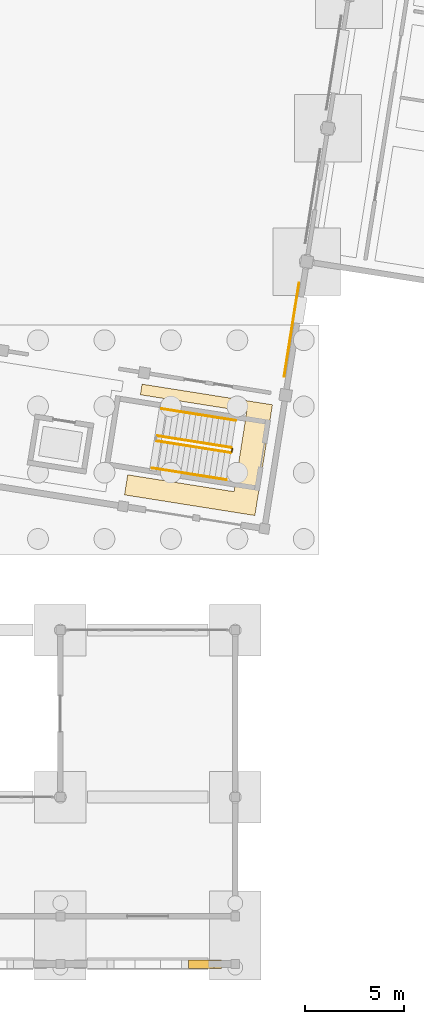
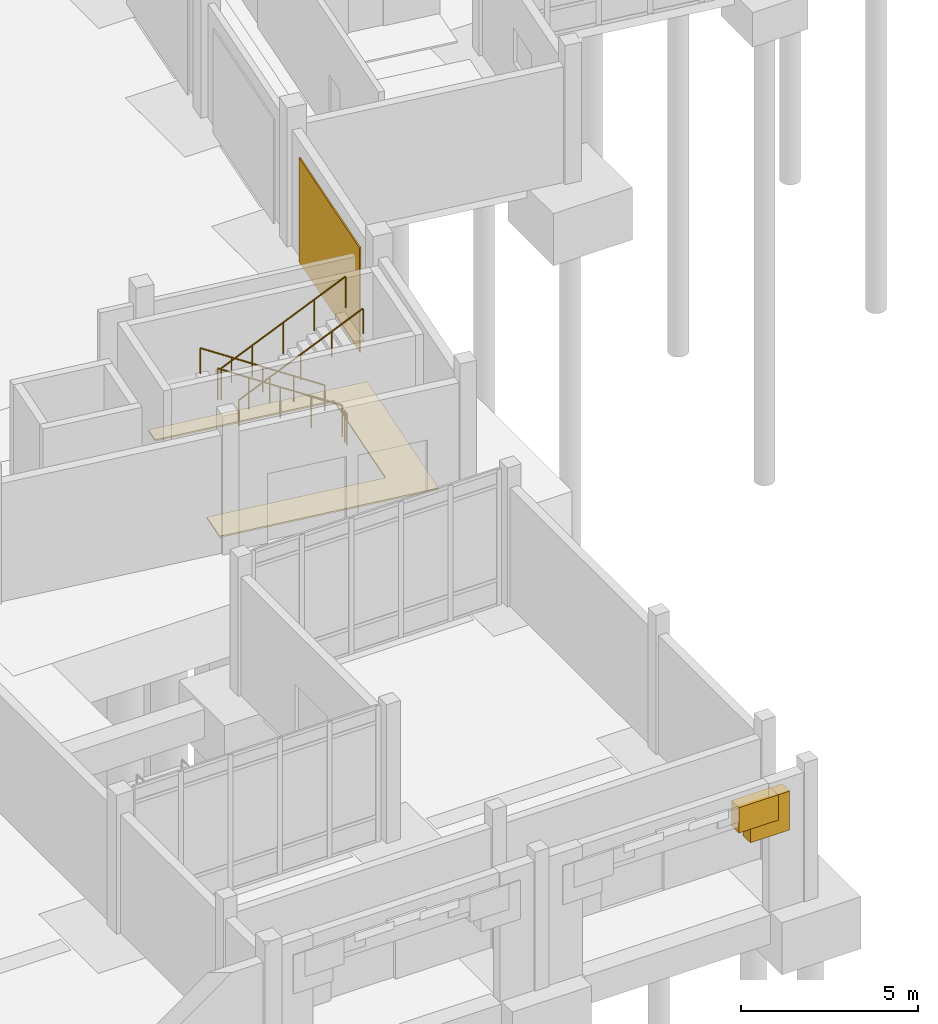
# One storey, part 69 of 72: 5 railings, 4 coverings.
"""IFC4 building model written with IfcOpenShell, lengths in metres."""

from ifc_helpers import new_model, si_unit, direction, frame, origin, origin_2d, place, context, subcontext, project, spatial, polyline, rectangle, circle, outline, extrude, material, layer, layer_set, type_object, element, save


model = new_model("IFC4")

# Units and contexts
model_context = context("Model", 3, precision=1e-05, world=origin(), true_north=direction((0.0, 1.0)))
body_context = subcontext(model_context, "Body", "Model", "MODEL_VIEW")
ifc_project = project(units=[si_unit("LENGTHUNIT", "METRE"), si_unit("AREAUNIT", "SQUARE_METRE"), si_unit("VOLUMEUNIT", "CUBIC_METRE"), si_unit("PLANEANGLEUNIT", "RADIAN"), si_unit("MASSUNIT", "GRAM", prefix="KILO")], contexts=[model_context])

# Site, building, storey
site_placement = place(None, origin())
site = spatial("IfcSite", under=ifc_project, at=site_placement, CompositionType="ELEMENT")
building_placement = place(site_placement, origin())
building = spatial("IfcBuilding", under=site, at=building_placement, Name="Cinderway Yard Community Centre", CompositionType="ELEMENT")
storey_placement = place(building_placement, origin())
storey = spatial("IfcBuildingStorey", under=building, at=storey_placement, Name="L00", CompositionType="ELEMENT", Elevation=0.0)

# Coverings
ifc_material_1 = material(Name="Brick Masonry", Category="masonry")
ifc_layer_1 = layer(ifc_material_1, 0.18994140625, Name="Brick Masonry")
ifc_layer_set_1 = layer_set([ifc_layer_1], Name="Brick Masonry")
covering_type_1 = type_object("IfcCoveringType", Name="ENV-COV-BRK-SCREEN", PredefinedType="CLADDING", material=ifc_layer_set_1)
covering_1_placement = place(storey_placement, frame((135.093017578125, 6.0, 3.115478515625), z_axis=(0.0, 0.0, 1.0), x_axis=(1.0, 0.0, 0.0)))
element("IfcCovering", 1, at=covering_1_placement, inside=storey, type_object=covering_type_1, Name="East Storm Arcade East Niche Arch Voussoir 3.8", PredefinedType="CLADDING", context=body_context, shape_type="SweptSolid", body=[
    extrude(rectangle(XDim=1.281005859375, YDim=0.419921875, at=origin_2d()), origin(), (0.0, 0.0, 1.0), 0.875),
])
covering_2_placement = place(storey_placement, frame((135.462890625, 6.0, 2.64794921875), z_axis=(0.0, 0.0, 1.0), x_axis=(1.0, 0.0, 0.0)))
element("IfcCovering", 2, at=covering_2_placement, inside=storey, type_object=covering_type_1, Name="East Storm Arcade East Niche Arch Voussoir 3.9", PredefinedType="CLADDING", context=body_context, shape_type="SweptSolid", body=[
    extrude(rectangle(XDim=1.281005859375, YDim=0.419921875, at=origin_2d()), origin(), (0.0, 0.0, 1.0), 1.342041015625),
])
ifc_material_2 = material(Name="Acoustic Slotted Brick Liner", Category="masonry")
ifc_layer_2 = layer(ifc_material_2, 0.044921875, Name="Acoustic Slotted Brick Liner")
ifc_layer_set_2 = layer_set([ifc_layer_2], Name="Acoustic Slotted Brick Liner")
covering_type_2 = type_object("IfcCoveringType", Name="INT-COV-CLAD-BRK", PredefinedType="CLADDING", material=ifc_layer_set_2)
covering_3_placement = place(storey_placement, frame((139.633056640625, 37.9150390625, 0.0), z_axis=(0.0, 0.0, 1.0), x_axis=(0.987688340595, -0.15643446504, 0.0)))
element("IfcCovering", 3, at=covering_3_placement, inside=storey, type_object=covering_type_2, Name="Sports Hall Acoustic Liner 01", PredefinedType="CLADDING", context=body_context, shape_type="SweptSolid", body=[
    extrude(rectangle(XDim=0.044921875, YDim=4.800048828125, at=origin_2d()), origin(), (0.0, 0.0, 1.0), 3.60009765625),
])
ifc_material_3 = material(Name="Sprung Hardwood Court Floor", Category="wood")
ifc_layer_3 = layer(ifc_material_3, 0.054931640625, Name="Sprung Hardwood Court Floor")
ifc_layer_set_3 = layer_set([ifc_layer_3], Name="Sprung Hardwood Court Floor")
covering_type_3 = type_object("IfcCoveringType", Name="INT-COV-FLR-SPR", PredefinedType="FLOORING", material=ifc_layer_set_3)
covering_4_placement = place(storey_placement, origin())
element("IfcCovering", 4, at=covering_4_placement, inside=storey, type_object=covering_type_3, Name="Court Equipment Store Floor Finish", PredefinedType="FLOORING", context=body_context, shape_type="SweptSolid", body=[
    extrude(outline(polyline([(131.388916015625, 30.614990234375), (136.742919921875, 29.76708984375), (137.381103515625, 33.797119140625), (132.028076171875, 34.64404296875), (132.112060546875, 35.177001953125), (138.669921875, 34.138916015625), (137.7880859375, 28.569091796875), (131.22998046875, 29.60693359375), (131.388916015625, 30.614990234375)])), origin(), (0.0, 0.0, 1.0), 0.054931640625),
])

# Railings
ifc_material_4 = material(Name="Painted Galvanised Steel", Category="steel")
railing_type_1 = type_object("IfcRailingType", Name="INT-RAL-GRD112", PredefinedType="GUARDRAIL", material=ifc_material_4)
railing_1_placement = place(storey_placement, frame((136.6083984375, 31.985107421875, 0.17138671875)))
element("IfcRailing", 5, at=railing_1_placement, inside=storey, type_object=railing_type_1, Name="L00 ST-07 stair guard 1", PredefinedType="GUARDRAIL", context=body_context, shape_type="SweptSolid", body=[
    extrude(circle(Radius=0.02392578125, at=origin_2d()), frame((0.0, 0.0, 1.076171875), z_axis=(-0.85023454363, 0.134690620773, 0.50888078908), x_axis=(-0.156464720495, -0.987683548127, 0.0)), (0.0, 0.0, 1.0), 4.379150390625),
    extrude(circle(Radius=0.02099609375, at=origin_2d()), origin(), (0.0, 0.0, 1.0), 1.052001953125),
    extrude(circle(Radius=0.02099609375, at=origin_2d()), frame((-0.930908203125, 0.1474609375, 0.55712890625)), (0.0, 0.0, 1.0), 1.052001953125),
    extrude(circle(Radius=0.02099609375, at=origin_2d()), frame((-1.86181640625, 0.294921875, 1.1142578125)), (0.0, 0.0, 1.0), 1.052001953125),
    extrude(circle(Radius=0.02099609375, at=origin_2d()), frame((-2.79248046875, 0.4423828125, 1.67138671875)), (0.0, 0.0, 1.0), 1.052001953125),
    extrude(circle(Radius=0.02099609375, at=origin_2d()), frame((-3.723388671875, 0.58984375, 2.228515625)), (0.0, 0.0, 1.0), 1.052001953125),
])
railing_2_placement = place(storey_placement, frame((132.84423828125, 32.318115234375, 2.571533203125)))
element("IfcRailing", 6, at=railing_2_placement, inside=storey, type_object=railing_type_1, Name="L00 ST-07 stair guard 3", PredefinedType="GUARDRAIL", context=body_context, shape_type="SweptSolid", body=[
    extrude(circle(Radius=0.02392578125, at=origin_2d()), frame((0.0, 0.0, 1.076171875), z_axis=(0.850249990766, -0.13468423667, 0.508856669008), x_axis=(0.156454712979, 0.987685133424, 0.0)), (0.0, 0.0, 1.0), 4.37939453125),
    extrude(circle(Radius=0.02099609375, at=origin_2d()), origin(), (0.0, 0.0, 1.0), 1.052001953125),
    extrude(circle(Radius=0.02099609375, at=origin_2d()), frame((0.930908203125, -0.1474609375, 0.55712890625)), (0.0, 0.0, 1.0), 1.052001953125),
    extrude(circle(Radius=0.02099609375, at=origin_2d()), frame((1.86181640625, -0.294921875, 1.1142578125)), (0.0, 0.0, 1.0), 1.052001953125),
    extrude(circle(Radius=0.02099609375, at=origin_2d()), frame((2.792724609375, -0.4423828125, 1.67138671875)), (0.0, 0.0, 1.0), 1.052001953125),
    extrude(circle(Radius=0.02099609375, at=origin_2d()), frame((3.7236328125, -0.58984375, 2.228515625)), (0.0, 0.0, 1.0), 1.052001953125),
])
railing_3_placement = place(storey_placement, frame((136.650146484375, 31.927978515625, 0.0)))
element("IfcRailing", 7, at=railing_3_placement, inside=storey, type_object=railing_type_1, Name="L00 ST-07 stair guard 4", PredefinedType="GUARDRAIL", context=body_context, shape_type="SweptSolid", body=[
    extrude(circle(Radius=0.02392578125, at=origin_2d()), frame((0.0, 0.0, 1.076171875), z_axis=(-0.15697991501, -0.987601795403, 0.0), x_axis=(0.987601795403, -0.15697991501, 0.0)), (0.0, 0.0, 1.0), 0.16015625),
    extrude(circle(Radius=0.02099609375, at=origin_2d()), origin(), (0.0, 0.0, 1.0), 1.052001953125),
    extrude(circle(Radius=0.02099609375, at=origin_2d()), frame((-0.025146484375, -0.158203125, 0.0)), (0.0, 0.0, 1.0), 1.052001953125),
])
railing_type_2 = type_object("IfcRailingType", Name="INT-RAL-HND090", PredefinedType="HANDRAIL", material=ifc_material_4)
railing_4_placement = place(storey_placement, frame((136.824462890625, 33.34814453125, 0.17138671875)))
element("IfcRailing", 8, at=railing_4_placement, inside=storey, type_object=railing_type_2, Name="L00 ST-07 stair handrail 1", PredefinedType="HANDRAIL", context=body_context, shape_type="SweptSolid", body=[
    extrude(circle(Radius=0.02392578125, at=origin_2d()), frame((0.0, 0.0, 0.8759765625), z_axis=(-0.850249990766, 0.13468423667, 0.508856669008), x_axis=(-0.156454712979, -0.987685133424, 0.0)), (0.0, 0.0, 1.0), 4.37939453125),
    extrude(circle(Radius=0.02099609375, at=origin_2d()), origin(), (0.0, 0.0, 1.0), 0.851806640625),
    extrude(circle(Radius=0.02099609375, at=origin_2d()), frame((-0.930908203125, 0.1474609375, 0.55712890625)), (0.0, 0.0, 1.0), 0.851806640625),
    extrude(circle(Radius=0.02099609375, at=origin_2d()), frame((-1.86181640625, 0.294921875, 1.1142578125)), (0.0, 0.0, 1.0), 0.851806640625),
    extrude(circle(Radius=0.02099609375, at=origin_2d()), frame((-2.792724609375, 0.4423828125, 1.67138671875)), (0.0, 0.0, 1.0), 0.851806640625),
    extrude(circle(Radius=0.02099609375, at=origin_2d()), frame((-3.7236328125, 0.58984375, 2.228515625)), (0.0, 0.0, 1.0), 0.851806640625),
])
railing_5_placement = place(storey_placement, frame((132.62841796875, 30.955078125, 2.571533203125)))
element("IfcRailing", 9, at=railing_5_placement, inside=storey, type_object=railing_type_2, Name="L00 ST-07 stair handrail 2", PredefinedType="HANDRAIL", context=body_context, shape_type="SweptSolid", body=[
    extrude(circle(Radius=0.02392578125, at=origin_2d()), frame((0.0, 0.0, 0.8759765625), z_axis=(0.850249990766, -0.13468423667, 0.508856669008), x_axis=(0.156454712979, 0.987685133424, 0.0)), (0.0, 0.0, 1.0), 4.37939453125),
    extrude(circle(Radius=0.02099609375, at=origin_2d()), origin(), (0.0, 0.0, 1.0), 0.851806640625),
    extrude(circle(Radius=0.02099609375, at=origin_2d()), frame((0.930908203125, -0.1474609375, 0.55712890625)), (0.0, 0.0, 1.0), 0.851806640625),
    extrude(circle(Radius=0.02099609375, at=origin_2d()), frame((1.86181640625, -0.294921875, 1.1142578125)), (0.0, 0.0, 1.0), 0.851806640625),
    extrude(circle(Radius=0.02099609375, at=origin_2d()), frame((2.792724609375, -0.4423828125, 1.67138671875)), (0.0, 0.0, 1.0), 0.851806640625),
    extrude(circle(Radius=0.02099609375, at=origin_2d()), frame((3.7236328125, -0.58984375, 2.228515625)), (0.0, 0.0, 1.0), 0.851806640625),
])

save(model, "model.ifc")
